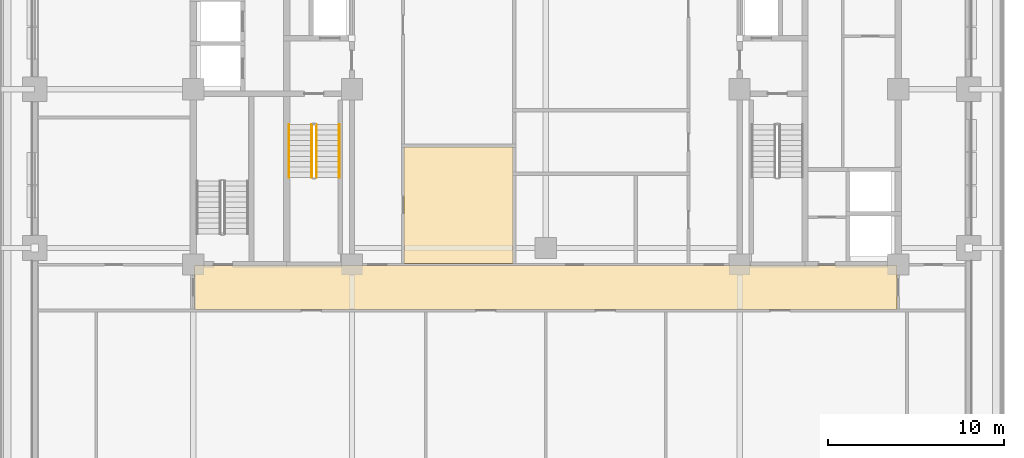
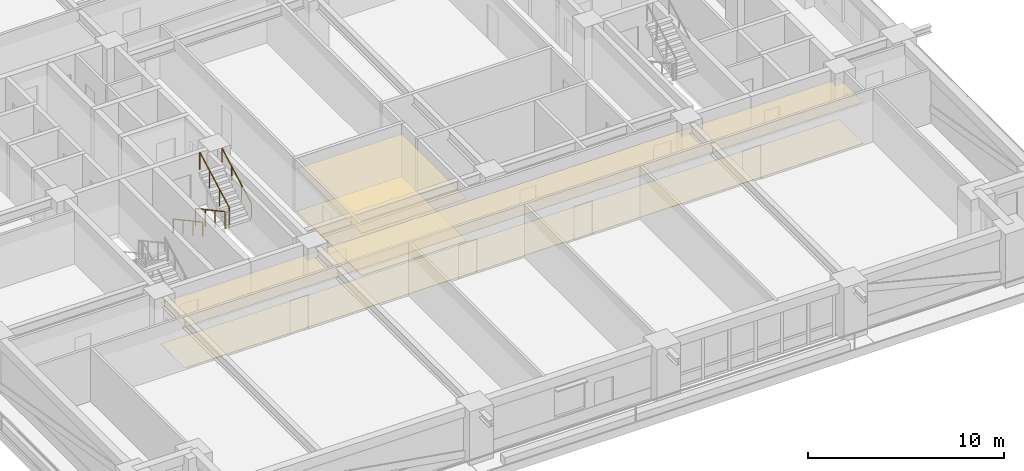
# One storey, part 17 of 20: 4 coverings, 4 railings.
"""IFC4 building model written with IfcOpenShell, lengths in metres."""

import ifcopenshell
import ifcopenshell.guid

model = None  # the IFC model being written
_history = None  # IfcOwnerHistory: only IFC2X3 demands one
_inside = {}  # id of a spatial element -> (the spatial element, [elements in it])
_under = {}  # id of a project, library or spatial element -> (it, [spatial elements below it])
_declared = {}  # id of a project -> (the project, [libraries it declares])
_typed = {}  # id of a type object -> (the type object, [elements of that type])
_made_of = {}  # id of a material, layer set ... -> (it, [elements and type objects made of it])


def new_model(schema):
    """Start an empty IFC model of exactly this schema.

    Asked for "IFC4X3", IfcOpenShell would pick the latest addendum, in which some entities
    have other attributes; the version numbers below select the first issue.
    IFC2X3 requires an IfcOwnerHistory on every rooted entity: one is made here for all.
    """
    global model, _history
    if schema == "IFC4X3":
        model = ifcopenshell.file(schema_version=(4, 3, 0, 0))
    else:
        model = ifcopenshell.file(schema=schema)
    _inside.clear()
    _under.clear()
    _declared.clear()
    _typed.clear()
    _made_of.clear()
    _history = None
    if model.schema == "IFC2X3":
        org = make("IfcOrganization", Name="unknown")
        user = make(
            "IfcPersonAndOrganization",
            ThePerson=make("IfcPerson", FamilyName="unknown"),
            TheOrganization=org,
        )
        app = make(
            "IfcApplication",
            ApplicationDeveloper=org,
            Version="unknown",
            ApplicationFullName="unknown",
            ApplicationIdentifier="unknown",
        )
        _history = make(
            "IfcOwnerHistory",
            OwningUser=user,
            OwningApplication=app,
            ChangeAction="ADDED",
            CreationDate=0,
        )
    return model


def make(cls, **values):
    """One entity of the class cls with the attributes given. An attribute that is None is left unset."""
    return model.create_entity(
        cls, **{name: value for name, value in values.items() if value is not None}
    )


def rooted(cls, **values):
    """An entity with a GlobalId (a new one), such as an element, a storey or a relation."""
    return make(cls, GlobalId=ifcopenshell.guid.new(), OwnerHistory=_history, **values)


def si_unit(unit_type, name, prefix=None):
    """IfcSIUnit, for example si_unit("LENGTHUNIT", "METRE", prefix="MILLI")."""
    return make("IfcSIUnit", UnitType=unit_type, Prefix=prefix, Name=name)


def assignment(units):
    """IfcUnitAssignment: the units of a project."""
    return None if units is None else make("IfcUnitAssignment", Units=units)


def point(xyz):
    """IfcCartesianPoint."""
    return None if xyz is None else make("IfcCartesianPoint", Coordinates=xyz)


def direction(xyz):
    """IfcDirection."""
    return None if xyz is None else make("IfcDirection", DirectionRatios=xyz)


def frame(location, z_axis=None, x_axis=None):
    """IfcAxis2Placement3D, a coordinate frame: its origin and axes. An axis left out is left unset."""
    return make(
        "IfcAxis2Placement3D",
        Location=point(location),
        Axis=direction(z_axis),
        RefDirection=direction(x_axis),
    )


def frame_2d(location, x_axis=None):
    """IfcAxis2Placement2D, a coordinate frame in the plane: its origin and x axis."""
    return make(
        "IfcAxis2Placement2D", Location=point(location), RefDirection=direction(x_axis)
    )


def origin():
    """The frame at (0, 0, 0) with its axes left unset."""
    return frame((0.0, 0.0, 0.0))


def origin_2d():
    """The frame at (0, 0) in the plane with its x axis left unset."""
    return frame_2d((0.0, 0.0))


def place(relative_to, where):
    """IfcLocalPlacement: puts the frame where relative to a parent placement (None: the world)."""
    return make(
        "IfcLocalPlacement", PlacementRelTo=relative_to, RelativePlacement=where
    )


def context(
    kind, dimensions, precision=None, world=None, true_north=None, identifier=None
):
    """IfcGeometricRepresentationContext, for example the 3D "Model" context."""
    return make(
        "IfcGeometricRepresentationContext",
        ContextIdentifier=identifier,
        ContextType=kind,
        CoordinateSpaceDimension=dimensions,
        Precision=precision,
        WorldCoordinateSystem=world,
        TrueNorth=true_north,
    )


def subcontext(parent, identifier, kind, view, scale=None):
    """IfcGeometricRepresentationSubContext, for example "Body" below "Model"."""
    return make(
        "IfcGeometricRepresentationSubContext",
        ContextIdentifier=identifier,
        ContextType=kind,
        ParentContext=parent,
        TargetScale=scale,
        TargetView=view,
    )


def project(units=None, contexts=None):
    """IfcProject with its units and contexts."""
    return rooted(
        "IfcProject",
        Name="project",
        RepresentationContexts=contexts,
        UnitsInContext=assignment(units),
    )


def spatial(cls, under=None, at=None, **own):
    """A site, building, storey or space (cls), placed at a placement, below another one or the project."""
    s = rooted(cls, ObjectPlacement=at, **own)
    if under is not None:
        _under.setdefault(under.id(), (under, []))[1].append(s)
    return s


def polyline(points):
    """IfcPolyline through the points."""
    return make("IfcPolyline", Points=[point(p) for p in points])


def profile(cls, at=None, kind="AREA", **sizes):
    """A parametric profile (cls). Its sizes go by their IFC names, for example OverallWidth=200.0."""
    return make(cls, ProfileType=kind, Position=at, **sizes)


def rectangle(**sizes):
    """IfcRectangleProfileDef."""
    return profile("IfcRectangleProfileDef", **sizes)


def outline(outer, holes=None, kind="AREA"):
    """IfcArbitraryClosedProfileDef: a profile drawn as a closed curve; with holes, ...WithVoids."""
    if holes is None:
        return make("IfcArbitraryClosedProfileDef", ProfileType=kind, OuterCurve=outer)
    return make(
        "IfcArbitraryProfileDefWithVoids",
        ProfileType=kind,
        OuterCurve=outer,
        InnerCurves=holes,
    )


def extrude(swept, where, along, depth):
    """IfcExtrudedAreaSolid: the profile swept, set in the frame where, extruded along a direction by depth."""
    return make(
        "IfcExtrudedAreaSolid",
        SweptArea=swept,
        Position=where,
        ExtrudedDirection=direction(along),
        Depth=depth,
    )


def shape(context_of_items, identifier, shape_type, items):
    """IfcShapeRepresentation: the items that make up one representation, for example the "Body"."""
    return make(
        "IfcShapeRepresentation",
        ContextOfItems=context_of_items,
        RepresentationIdentifier=identifier,
        RepresentationType=shape_type,
        Items=items,
    )


def material(Name=None, Category=None):
    """IfcMaterial."""
    return make("IfcMaterial", Name=Name, Category=Category)


def layer(
    of_material, thickness, ventilated=None, Name=None, Category=None, Priority=None
):
    """IfcMaterialLayer: one layer of a wall or slab, of a material (None: an air gap)."""
    return make(
        "IfcMaterialLayer",
        Material=of_material,
        LayerThickness=thickness,
        IsVentilated=ventilated,
        Name=Name,
        Category=Category,
        Priority=Priority,
    )


def layer_set(layers, Name=None):
    """IfcMaterialLayerSet."""
    return make("IfcMaterialLayerSet", MaterialLayers=layers, LayerSetName=Name)


def made_of(thing, what):
    """Note that an element or type object is made of a material, layer set ...; save() writes the relation."""
    if what is not None:
        _made_of.setdefault(what.id(), (what, []))[1].append(thing)
    return thing


def type_object(cls, material=None, **own):
    """A type object (cls), such as IfcWallType, which elements share."""
    return made_of(rooted(cls, **own), material)


def element(
    cls,
    number,
    at=None,
    inside=None,
    cuts=None,
    type_object=None,
    material=None,
    context=None,
    identifier="Body",
    shape_type=None,
    held_by="IfcProductDefinitionShape",
    body=None,
    shapes=None,
    **own,
):
    """One element of the class cls, such as IfcWall. Its Tag is "e" and its number.

    at: its placement. inside: the storey or other place that contains it. cuts: it is an
    opening in that element (IfcRelVoidsElement). A single representation is given by context,
    identifier, shape_type and body (its items); several are given by shapes. held_by: the class
    of the entity that holds the representations. save() writes the other relations.
    """
    e = rooted(cls, Tag="e%d" % number, ObjectPlacement=at, **own)
    if body is not None:
        shapes = [shape(context, identifier, shape_type, body)]
    if shapes is not None:
        e.Representation = make(held_by, Representations=shapes)
    if inside is not None:
        _inside.setdefault(inside.id(), (inside, []))[1].append(e)
    if cuts is not None:
        rooted(
            "IfcRelVoidsElement", RelatingBuildingElement=cuts, RelatedOpeningElement=e
        )
    if type_object is not None:
        _typed.setdefault(type_object.id(), (type_object, []))[1].append(e)
    return made_of(e, material)


def aggregate(whole, parts):
    """IfcRelAggregates: a whole, such as a stair, and the parts it consists of."""
    return rooted("IfcRelAggregates", RelatingObject=whole, RelatedObjects=parts)


def save(model, path):
    """Write the relations noted so far, then the file.

    IfcRelAggregates (storeys below a building ...), IfcRelContainedInSpatialStructure (elements
    in a storey), IfcRelDefinesByType, IfcRelAssociatesMaterial and IfcRelDeclares: one each for
    every whole, place, type object, material and project.
    """
    for whole, parts in _under.values():
        aggregate(whole, parts)
    for where, things in _inside.values():
        rooted(
            "IfcRelContainedInSpatialStructure",
            RelatedElements=things,
            RelatingStructure=where,
        )
    for kind, things in _typed.values():
        rooted("IfcRelDefinesByType", RelatedObjects=things, RelatingType=kind)
    for what, things in _made_of.values():
        rooted("IfcRelAssociatesMaterial", RelatedObjects=things, RelatingMaterial=what)
    for by, libraries in _declared.values():
        rooted("IfcRelDeclares", RelatingContext=by, RelatedDefinitions=libraries)
    model.write(path)


model = new_model("IFC4")

# Units and contexts
model_context = context("Model", 3, precision=1e-05, world=origin(), true_north=direction((0.0, 1.0)))
body_context = subcontext(model_context, "Body", "Model", "MODEL_VIEW")
ifc_project = project(units=[si_unit("LENGTHUNIT", "METRE"), si_unit("AREAUNIT", "SQUARE_METRE"), si_unit("VOLUMEUNIT", "CUBIC_METRE"), si_unit("PLANEANGLEUNIT", "RADIAN"), si_unit("MASSUNIT", "GRAM", prefix="KILO")], contexts=[model_context])

# Site, building, storey
site_placement = place(None, origin())
site = spatial("IfcSite", under=ifc_project, at=site_placement, CompositionType="ELEMENT")
building_placement = place(site_placement, origin())
building = spatial("IfcBuilding", under=site, at=building_placement, Name="Zulmaris Gate Convention Tower", CompositionType="ELEMENT")
storey_placement = place(building_placement, frame((0.0, 0.0, 71.469970703125)))
storey = spatial("IfcBuildingStorey", under=building, at=storey_placement, Name="L17", CompositionType="ELEMENT", Elevation=71.469970703125)

# Coverings
ifc_material_1 = material(Name="Mineral Fibre Acoustic Ceiling Tile")
ifc_layer_1 = layer(ifc_material_1, 0.02001953125, Name="Mineral Fibre Acoustic Ceiling Tile")
ifc_layer_set_1 = layer_set([ifc_layer_1], Name="Mineral Fibre Acoustic Ceiling Tile")
covering_type_1 = type_object("IfcCoveringType", Name="CLG-ACOUSTIC-600", PredefinedType="CEILING", material=ifc_layer_set_1)
covering_1_placement = place(storey_placement, frame((0.0, 0.0, 2.552978515625)))
element("IfcCovering", 1, at=covering_1_placement, inside=storey, type_object=covering_type_1, Name="CLG-L17-R34", PredefinedType="CEILING", context=body_context, shape_type="SweptSolid", body=[
    extrude(outline(polyline([(-19.93994140625, -12.489990234375), (19.93994140625, -12.489990234375), (19.93994140625, -10.010009765625), (-19.93994140625, -10.010009765625), (-19.93994140625, -12.489990234375)])), origin(), (0.0, 0.0, 1.0), 0.02001953125),
])
covering_2_placement = place(storey_placement, frame((0.0, 0.0, 2.6279296875)))
element("IfcCovering", 2, at=covering_2_placement, inside=storey, type_object=covering_type_1, Name="CLG-L17-R44", PredefinedType="CEILING", context=body_context, shape_type="SweptSolid", body=[
    extrude(outline(polyline([(-8.0400390625, -9.889892578125), (-1.860107421875, -9.889892578125), (-1.860107421875, -3.260009765625), (-8.0400390625, -3.260009765625), (-8.0400390625, -9.889892578125)])), origin(), (0.0, 0.0, 1.0), 0.02001953125),
])
ifc_material_2 = material(Name="Woven Acoustic Wool Carpet Tile")
ifc_layer_2 = layer(ifc_material_2, 0.02001953125, Name="Woven Acoustic Wool Carpet Tile")
ifc_layer_set_2 = layer_set([ifc_layer_2], Name="Woven Acoustic Wool Carpet Tile")
covering_type_2 = type_object("IfcCoveringType", Name="FLR-CARPET-12", PredefinedType="FLOORING", material=ifc_layer_set_2)
covering_3_placement = place(storey_placement, origin())
element("IfcCovering", 3, at=covering_3_placement, inside=storey, type_object=covering_type_2, Name="FLR-L17-R34", PredefinedType="FLOORING", context=body_context, shape_type="SweptSolid", body=[
    extrude(outline(polyline([(-19.93994140625, -12.489990234375), (19.93994140625, -12.489990234375), (19.93994140625, -10.010009765625), (-19.93994140625, -10.010009765625), (-19.93994140625, -12.489990234375)])), origin(), (0.0, 0.0, 1.0), 0.02001953125),
])
covering_4_placement = place(storey_placement, origin())
element("IfcCovering", 4, at=covering_4_placement, inside=storey, type_object=covering_type_2, Name="FLR-L17-R44", PredefinedType="FLOORING", context=body_context, shape_type="SweptSolid", body=[
    extrude(outline(polyline([(-8.0400390625, -9.889892578125), (-1.860107421875, -9.889892578125), (-1.860107421875, -3.260009765625), (-8.0400390625, -3.260009765625), (-8.0400390625, -9.889892578125)])), origin(), (0.0, 0.0, 1.0), 0.02001953125),
])

# Railings
ifc_material_3 = material(Name="Painted Galvanised Steel", Category="steel")
railing_type_1 = type_object("IfcRailingType", Name="RL-STG-1150", PredefinedType="GUARDRAIL", material=ifc_material_3)
railing_1_placement = place(storey_placement, frame((-13.27001953125, -2.0, 0.162353515625)))
element("IfcRailing", 5, at=railing_1_placement, inside=storey, type_object=railing_type_1, Name="L17 ST-1 stair guard 1", PredefinedType="GUARDRAIL", context=body_context, shape_type="SweptSolid", body=[
    extrude(rectangle(XDim=0.048095703125, YDim=0.048095703125, at=origin_2d()), frame((0.0, 0.0, 1.076171875), z_axis=(0.0, -0.879591569277, 0.475729619907), x_axis=(1.0, 0.0, 0.0)), (0.0, 0.0, 1.0), 3.41064453125),
    extrude(rectangle(XDim=0.0419921875, YDim=0.0419921875, at=origin_2d()), origin(), (0.0, 0.0, 1.0), 1.052001953125),
    extrude(rectangle(XDim=0.0419921875, YDim=0.0419921875, at=origin_2d()), frame((0.0, -1.0, 0.540771484375)), (0.0, 0.0, 1.0), 1.052001953125),
    extrude(rectangle(XDim=0.0419921875, YDim=0.0419921875, at=origin_2d()), frame((0.0, -2.0, 1.081787109375)), (0.0, 0.0, 1.0), 1.052001953125),
    extrude(rectangle(XDim=0.0419921875, YDim=0.0419921875, at=origin_2d()), frame((0.0, -3.0, 1.62255859375)), (0.0, 0.0, 1.0), 1.052001953125),
])
railing_2_placement = place(storey_placement, frame((-13.010009765625, -5.0, 1.947265625)))
element("IfcRailing", 6, at=railing_2_placement, inside=storey, type_object=railing_type_1, Name="L17 ST-1 stair guard 3", PredefinedType="GUARDRAIL", context=body_context, shape_type="SweptSolid", body=[
    extrude(rectangle(XDim=0.048095703125, YDim=0.048095703125, at=origin_2d()), frame((0.0, 0.0, 1.076171875), z_axis=(0.0, 0.8795616155, 0.475784998228), x_axis=(-1.0, 0.0, 0.0)), (0.0, 0.0, 1.0), 3.410888671875),
    extrude(rectangle(XDim=0.0419921875, YDim=0.0419921875, at=origin_2d()), origin(), (0.0, 0.0, 1.0), 1.052001953125),
    extrude(rectangle(XDim=0.0419921875, YDim=0.0419921875, at=origin_2d()), frame((0.0, 1.0, 0.541015625)), (0.0, 0.0, 1.0), 1.052001953125),
    extrude(rectangle(XDim=0.0419921875, YDim=0.0419921875, at=origin_2d()), frame((0.0, 2.0, 1.081787109375)), (0.0, 0.0, 1.0), 1.052001953125),
    extrude(rectangle(XDim=0.0419921875, YDim=0.0419921875, at=origin_2d()), frame((0.0, 3.0, 1.622802734375)), (0.0, 0.0, 1.0), 1.052001953125),
])
ifc_material_4 = material(Name="Brushed Stainless Steel", Category="steel")
railing_type_2 = type_object("IfcRailingType", Name="RL-STH-900", PredefinedType="HANDRAIL", material=ifc_material_4)
railing_3_placement = place(storey_placement, frame((-14.570068359375, -2.0, 0.162353515625)))
element("IfcRailing", 7, at=railing_3_placement, inside=storey, type_object=railing_type_2, Name="L17 ST-1 stair handrail 1", PredefinedType="HANDRAIL", context=body_context, shape_type="SweptSolid", body=[
    extrude(rectangle(XDim=0.048095703125, YDim=0.048095703125, at=origin_2d()), frame((0.0, 0.0, 0.8759765625), z_axis=(0.0, -0.879591569277, 0.475729619907), x_axis=(1.0, 0.0, 0.0)), (0.0, 0.0, 1.0), 3.41064453125),
    extrude(rectangle(XDim=0.0419921875, YDim=0.0419921875, at=origin_2d()), origin(), (0.0, 0.0, 1.0), 0.851806640625),
    extrude(rectangle(XDim=0.0419921875, YDim=0.0419921875, at=origin_2d()), frame((0.0, -1.0, 0.540771484375)), (0.0, 0.0, 1.0), 0.851806640625),
    extrude(rectangle(XDim=0.0419921875, YDim=0.0419921875, at=origin_2d()), frame((0.0, -2.0, 1.081787109375)), (0.0, 0.0, 1.0), 0.851806640625),
    extrude(rectangle(XDim=0.0419921875, YDim=0.0419921875, at=origin_2d()), frame((0.0, -3.0, 1.62255859375)), (0.0, 0.0, 1.0), 0.851806640625),
])
railing_4_placement = place(storey_placement, frame((-11.7099609375, -5.0, 1.947265625)))
element("IfcRailing", 8, at=railing_4_placement, inside=storey, type_object=railing_type_2, Name="L17 ST-1 stair handrail 2", PredefinedType="HANDRAIL", context=body_context, shape_type="SweptSolid", body=[
    extrude(rectangle(XDim=0.048095703125, YDim=0.048095703125, at=origin_2d()), frame((0.0, 0.0, 0.8759765625), z_axis=(0.0, 0.8795616155, 0.475784998228), x_axis=(-1.0, 0.0, 0.0)), (0.0, 0.0, 1.0), 3.410888671875),
    extrude(rectangle(XDim=0.0419921875, YDim=0.0419921875, at=origin_2d()), origin(), (0.0, 0.0, 1.0), 0.851806640625),
    extrude(rectangle(XDim=0.0419921875, YDim=0.0419921875, at=origin_2d()), frame((0.0, 1.0, 0.541015625)), (0.0, 0.0, 1.0), 0.851806640625),
    extrude(rectangle(XDim=0.0419921875, YDim=0.0419921875, at=origin_2d()), frame((0.0, 2.0, 1.081787109375)), (0.0, 0.0, 1.0), 0.851806640625),
    extrude(rectangle(XDim=0.0419921875, YDim=0.0419921875, at=origin_2d()), frame((0.0, 3.0, 1.622802734375)), (0.0, 0.0, 1.0), 0.851806640625),
])

save(model, "model.ifc")
